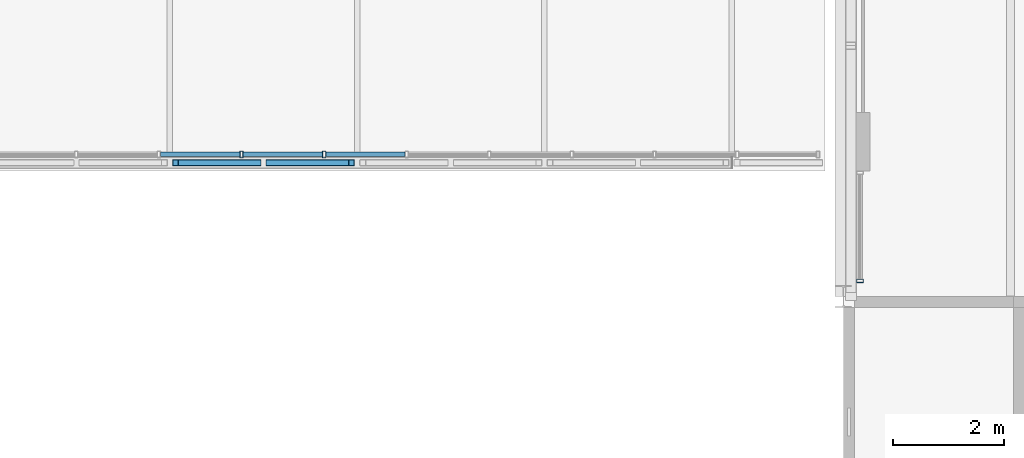
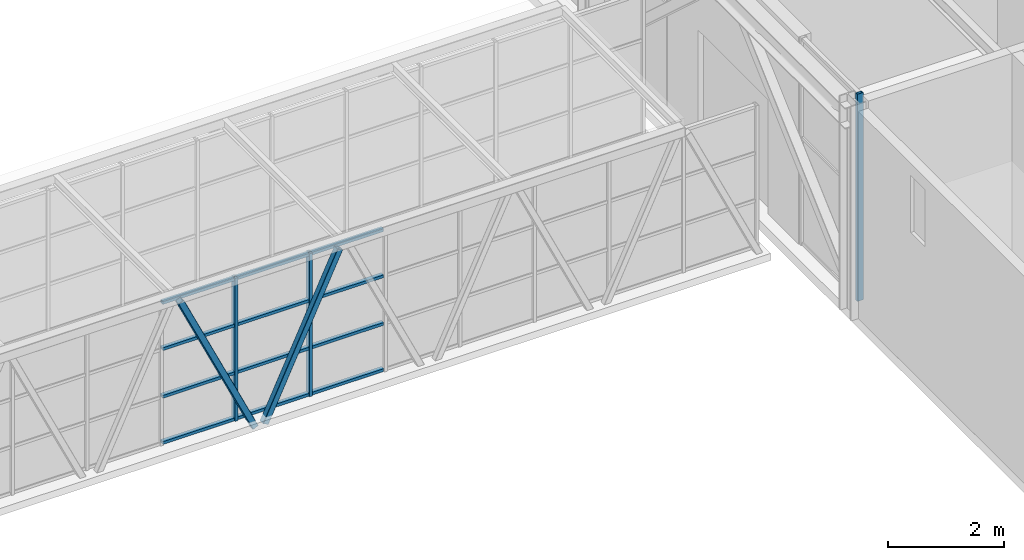
# One storey, part 37 of 149: 17 members, 2 elements without a shape of their own.
"""IFC4 building model written with IfcOpenShell, lengths in metres."""

import ifcopenshell
import ifcopenshell.guid

model = None  # the IFC model being written
_history = None  # IfcOwnerHistory: only IFC2X3 demands one
_inside = {}  # id of a spatial element -> (the spatial element, [elements in it])
_under = {}  # id of a project, library or spatial element -> (it, [spatial elements below it])
_declared = {}  # id of a project -> (the project, [libraries it declares])
_typed = {}  # id of a type object -> (the type object, [elements of that type])
_made_of = {}  # id of a material, layer set ... -> (it, [elements and type objects made of it])


def new_model(schema):
    """Start an empty IFC model of exactly this schema.

    Asked for "IFC4X3", IfcOpenShell would pick the latest addendum, in which some entities
    have other attributes; the version numbers below select the first issue.
    IFC2X3 requires an IfcOwnerHistory on every rooted entity: one is made here for all.
    """
    global model, _history
    if schema == "IFC4X3":
        model = ifcopenshell.file(schema_version=(4, 3, 0, 0))
    else:
        model = ifcopenshell.file(schema=schema)
    _inside.clear()
    _under.clear()
    _declared.clear()
    _typed.clear()
    _made_of.clear()
    _history = None
    if model.schema == "IFC2X3":
        org = make("IfcOrganization", Name="unknown")
        user = make(
            "IfcPersonAndOrganization",
            ThePerson=make("IfcPerson", FamilyName="unknown"),
            TheOrganization=org,
        )
        app = make(
            "IfcApplication",
            ApplicationDeveloper=org,
            Version="unknown",
            ApplicationFullName="unknown",
            ApplicationIdentifier="unknown",
        )
        _history = make(
            "IfcOwnerHistory",
            OwningUser=user,
            OwningApplication=app,
            ChangeAction="ADDED",
            CreationDate=0,
        )
    return model


def make(cls, **values):
    """One entity of the class cls with the attributes given. An attribute that is None is left unset."""
    return model.create_entity(
        cls, **{name: value for name, value in values.items() if value is not None}
    )


def rooted(cls, **values):
    """An entity with a GlobalId (a new one), such as an element, a storey or a relation."""
    return make(cls, GlobalId=ifcopenshell.guid.new(), OwnerHistory=_history, **values)


def si_unit(unit_type, name, prefix=None):
    """IfcSIUnit, for example si_unit("LENGTHUNIT", "METRE", prefix="MILLI")."""
    return make("IfcSIUnit", UnitType=unit_type, Prefix=prefix, Name=name)


def assignment(units):
    """IfcUnitAssignment: the units of a project."""
    return None if units is None else make("IfcUnitAssignment", Units=units)


def point(xyz):
    """IfcCartesianPoint."""
    return None if xyz is None else make("IfcCartesianPoint", Coordinates=xyz)


def direction(xyz):
    """IfcDirection."""
    return None if xyz is None else make("IfcDirection", DirectionRatios=xyz)


def frame(location, z_axis=None, x_axis=None):
    """IfcAxis2Placement3D, a coordinate frame: its origin and axes. An axis left out is left unset."""
    return make(
        "IfcAxis2Placement3D",
        Location=point(location),
        Axis=direction(z_axis),
        RefDirection=direction(x_axis),
    )


def frame_2d(location, x_axis=None):
    """IfcAxis2Placement2D, a coordinate frame in the plane: its origin and x axis."""
    return make(
        "IfcAxis2Placement2D", Location=point(location), RefDirection=direction(x_axis)
    )


def origin():
    """The frame at (0, 0, 0) with its axes left unset."""
    return frame((0.0, 0.0, 0.0))


def origin_2d():
    """The frame at (0, 0) in the plane with its x axis left unset."""
    return frame_2d((0.0, 0.0))


def place(relative_to, where):
    """IfcLocalPlacement: puts the frame where relative to a parent placement (None: the world)."""
    return make(
        "IfcLocalPlacement", PlacementRelTo=relative_to, RelativePlacement=where
    )


def context(
    kind, dimensions, precision=None, world=None, true_north=None, identifier=None
):
    """IfcGeometricRepresentationContext, for example the 3D "Model" context."""
    return make(
        "IfcGeometricRepresentationContext",
        ContextIdentifier=identifier,
        ContextType=kind,
        CoordinateSpaceDimension=dimensions,
        Precision=precision,
        WorldCoordinateSystem=world,
        TrueNorth=true_north,
    )


def subcontext(parent, identifier, kind, view, scale=None):
    """IfcGeometricRepresentationSubContext, for example "Body" below "Model"."""
    return make(
        "IfcGeometricRepresentationSubContext",
        ContextIdentifier=identifier,
        ContextType=kind,
        ParentContext=parent,
        TargetScale=scale,
        TargetView=view,
    )


def project(units=None, contexts=None):
    """IfcProject with its units and contexts."""
    return rooted(
        "IfcProject",
        Name="project",
        RepresentationContexts=contexts,
        UnitsInContext=assignment(units),
    )


def spatial(cls, under=None, at=None, **own):
    """A site, building, storey or space (cls), placed at a placement, below another one or the project."""
    s = rooted(cls, ObjectPlacement=at, **own)
    if under is not None:
        _under.setdefault(under.id(), (under, []))[1].append(s)
    return s


def profile(cls, at=None, kind="AREA", **sizes):
    """A parametric profile (cls). Its sizes go by their IFC names, for example OverallWidth=200.0."""
    return make(cls, ProfileType=kind, Position=at, **sizes)


def hollow_rectangle(**sizes):
    """IfcRectangleHollowProfileDef."""
    return profile("IfcRectangleHollowProfileDef", **sizes)


def extrude(swept, where, along, depth):
    """IfcExtrudedAreaSolid: the profile swept, set in the frame where, extruded along a direction by depth."""
    return make(
        "IfcExtrudedAreaSolid",
        SweptArea=swept,
        Position=where,
        ExtrudedDirection=direction(along),
        Depth=depth,
    )


def shape(context_of_items, identifier, shape_type, items):
    """IfcShapeRepresentation: the items that make up one representation, for example the "Body"."""
    return make(
        "IfcShapeRepresentation",
        ContextOfItems=context_of_items,
        RepresentationIdentifier=identifier,
        RepresentationType=shape_type,
        Items=items,
    )


def material(Name=None, Category=None):
    """IfcMaterial."""
    return make("IfcMaterial", Name=Name, Category=Category)


def layer(
    of_material, thickness, ventilated=None, Name=None, Category=None, Priority=None
):
    """IfcMaterialLayer: one layer of a wall or slab, of a material (None: an air gap)."""
    return make(
        "IfcMaterialLayer",
        Material=of_material,
        LayerThickness=thickness,
        IsVentilated=ventilated,
        Name=Name,
        Category=Category,
        Priority=Priority,
    )


def layer_set(layers, Name=None):
    """IfcMaterialLayerSet."""
    return make("IfcMaterialLayerSet", MaterialLayers=layers, LayerSetName=Name)


def material_profile(
    of_material, cross_section, Name=None, Category=None, Priority=None
):
    """IfcMaterialProfile: a cross section and its material."""
    return make(
        "IfcMaterialProfile",
        Name=Name,
        Material=of_material,
        Profile=cross_section,
        Priority=Priority,
        Category=Category,
    )


def profile_set(profiles, Name=None, composite=None):
    """IfcMaterialProfileSet."""
    return make(
        "IfcMaterialProfileSet",
        Name=Name,
        MaterialProfiles=profiles,
        CompositeProfile=composite,
    )


def made_of(thing, what):
    """Note that an element or type object is made of a material, layer set ...; save() writes the relation."""
    if what is not None:
        _made_of.setdefault(what.id(), (what, []))[1].append(thing)
    return thing


def type_object(cls, material=None, **own):
    """A type object (cls), such as IfcWallType, which elements share."""
    return made_of(rooted(cls, **own), material)


def element(
    cls,
    number,
    at=None,
    inside=None,
    cuts=None,
    type_object=None,
    material=None,
    context=None,
    identifier="Body",
    shape_type=None,
    held_by="IfcProductDefinitionShape",
    body=None,
    shapes=None,
    **own,
):
    """One element of the class cls, such as IfcWall. Its Tag is "e" and its number.

    at: its placement. inside: the storey or other place that contains it. cuts: it is an
    opening in that element (IfcRelVoidsElement). A single representation is given by context,
    identifier, shape_type and body (its items); several are given by shapes. held_by: the class
    of the entity that holds the representations. save() writes the other relations.
    """
    e = rooted(cls, Tag="e%d" % number, ObjectPlacement=at, **own)
    if body is not None:
        shapes = [shape(context, identifier, shape_type, body)]
    if shapes is not None:
        e.Representation = make(held_by, Representations=shapes)
    if inside is not None:
        _inside.setdefault(inside.id(), (inside, []))[1].append(e)
    if cuts is not None:
        rooted(
            "IfcRelVoidsElement", RelatingBuildingElement=cuts, RelatedOpeningElement=e
        )
    if type_object is not None:
        _typed.setdefault(type_object.id(), (type_object, []))[1].append(e)
    return made_of(e, material)


def aggregate(whole, parts):
    """IfcRelAggregates: a whole, such as a stair, and the parts it consists of."""
    return rooted("IfcRelAggregates", RelatingObject=whole, RelatedObjects=parts)


def save(model, path):
    """Write the relations noted so far, then the file.

    IfcRelAggregates (storeys below a building ...), IfcRelContainedInSpatialStructure (elements
    in a storey), IfcRelDefinesByType, IfcRelAssociatesMaterial and IfcRelDeclares: one each for
    every whole, place, type object, material and project.
    """
    for whole, parts in _under.values():
        aggregate(whole, parts)
    for where, things in _inside.values():
        rooted(
            "IfcRelContainedInSpatialStructure",
            RelatedElements=things,
            RelatingStructure=where,
        )
    for kind, things in _typed.values():
        rooted("IfcRelDefinesByType", RelatedObjects=things, RelatingType=kind)
    for what, things in _made_of.values():
        rooted("IfcRelAssociatesMaterial", RelatedObjects=things, RelatingMaterial=what)
    for by, libraries in _declared.values():
        rooted("IfcRelDeclares", RelatingContext=by, RelatedDefinitions=libraries)
    model.write(path)


model = new_model("IFC4")

# Units and contexts
model_context = context("Model", 3, precision=1e-05, world=origin(), true_north=direction((0.0, 1.0)))
body_context = subcontext(model_context, "Body", "Model", "MODEL_VIEW")
ifc_project = project(units=[si_unit("LENGTHUNIT", "METRE"), si_unit("AREAUNIT", "SQUARE_METRE"), si_unit("VOLUMEUNIT", "CUBIC_METRE"), si_unit("PLANEANGLEUNIT", "RADIAN"), si_unit("MASSUNIT", "GRAM", prefix="KILO")], contexts=[model_context])

# Site, building, storey
site_placement = place(None, origin())
site = spatial("IfcSite", under=ifc_project, at=site_placement, CompositionType="ELEMENT")
building_placement = place(site_placement, origin())
building = spatial("IfcBuilding", under=site, at=building_placement, Name="Kallimachos Central Library", CompositionType="ELEMENT")
storey_placement = place(building_placement, frame((0.0, 0.0, 9.89990234375)))
storey = spatial("IfcBuildingStorey", under=building, at=storey_placement, Name="L02", CompositionType="ELEMENT", Elevation=9.89990234375)

# Curtain wall, members
ifc_material_1 = material(Name="Aluminium and laminated glass", Category="aluminium")
curtain_wall_type_1 = type_object("IfcCurtainWallType", Name="Link glazed wall", PredefinedType="NOTDEFINED", material=ifc_material_1)
curtain_wall_1_placement = place(storey_placement, origin())
curtain_wall_1 = element("IfcCurtainWall", 1, at=curtain_wall_1_placement, inside=storey, type_object=curtain_wall_type_1, Name="V2 to V1 bridge glazed side", PredefinedType="NOTDEFINED")
ifc_material_2 = material(Name="Anodised aluminium", Category="aluminium")
ifc_material_profile_1 = material_profile(ifc_material_2, hollow_rectangle(XDim=0.06005859375, YDim=0.1201171875, WallThickness=0.00390625, at=origin_2d()), Name="ALU MULLION 60x120")
ifc_profile_set_1 = profile_set([ifc_material_profile_1], Name="Anodised aluminium")
member_type_1 = type_object("IfcMemberType", Name="ALU MULLION 60x120 mullion", PredefinedType="MULLION", material=ifc_profile_set_1)
member_1_placement = place(storey_placement, frame((54.701416015625, 98.550048828125, 0.0), z_axis=(0.0, 0.0, 1.0), x_axis=(1.0, 0.0, 0.0)))
member_1 = element("IfcMember", 2, at=member_1_placement, type_object=member_type_1, Name="CW72 mullion 12", PredefinedType="MULLION", context=body_context, shape_type="SweptSolid", body=[
    extrude(hollow_rectangle(XDim=0.06005859375, YDim=0.1201171875, WallThickness=0.00390625, at=origin_2d()), origin(), (0.0, 0.0, 1.0), 3.0),
])
member_2_placement = place(storey_placement, frame((56.183349609375, 98.550048828125, 0.0), z_axis=(0.0, 0.0, 1.0), x_axis=(1.0, 0.0, 0.0)))
member_2 = element("IfcMember", 3, at=member_2_placement, type_object=member_type_1, Name="CW72 mullion 13", PredefinedType="MULLION", context=body_context, shape_type="SweptSolid", body=[
    extrude(hollow_rectangle(XDim=0.06005859375, YDim=0.1201171875, WallThickness=0.00390625, at=origin_2d()), origin(), (0.0, 0.0, 1.0), 3.0),
])
ifc_material_3 = material(Name="Anodised aluminium", Category="aluminium")
ifc_material_profile_2 = material_profile(ifc_material_3, hollow_rectangle(XDim=0.06005859375, YDim=0.080078125, WallThickness=0.00390625, at=origin_2d()), Name="ALU TRANSOM 60x80")
ifc_profile_set_2 = profile_set([ifc_material_profile_2], Name="Anodised aluminium")
member_type_2 = type_object("IfcMemberType", Name="ALU TRANSOM 60x80 transom", PredefinedType="USERDEFINED", material=ifc_profile_set_2)
member_3_placement = place(storey_placement, frame((53.24951171875, 98.550048828125, 0.030029296875), z_axis=(1.0, 0.0, 0.0), x_axis=(0.0, 0.0, 1.0)))
member_3 = element("IfcMember", 4, at=member_3_placement, type_object=member_type_2, Name="CW72 transom 11.1", ObjectType="TRANSOM", PredefinedType="USERDEFINED", context=body_context, shape_type="SweptSolid", body=[
    extrude(hollow_rectangle(XDim=0.06005859375, YDim=0.080078125, WallThickness=0.00390625, at=origin_2d()), origin(), (0.0, 0.0, 1.0), 1.421875),
])
member_4_placement = place(storey_placement, frame((53.24951171875, 98.550048828125, 1.0), z_axis=(1.0, 0.0, 0.0), x_axis=(0.0, 0.0, 1.0)))
member_4 = element("IfcMember", 5, at=member_4_placement, type_object=member_type_2, Name="CW72 transom 11.2", ObjectType="TRANSOM", PredefinedType="USERDEFINED", context=body_context, shape_type="SweptSolid", body=[
    extrude(hollow_rectangle(XDim=0.06005859375, YDim=0.080078125, WallThickness=0.00390625, at=origin_2d()), origin(), (0.0, 0.0, 1.0), 1.421875),
])
member_5_placement = place(storey_placement, frame((53.24951171875, 98.550048828125, 2.0), z_axis=(1.0, 0.0, 0.0), x_axis=(0.0, 0.0, 1.0)))
member_5 = element("IfcMember", 6, at=member_5_placement, type_object=member_type_2, Name="CW72 transom 11.3", ObjectType="TRANSOM", PredefinedType="USERDEFINED", context=body_context, shape_type="SweptSolid", body=[
    extrude(hollow_rectangle(XDim=0.06005859375, YDim=0.080078125, WallThickness=0.00390625, at=origin_2d()), origin(), (0.0, 0.0, 1.0), 1.421875),
])
member_6_placement = place(storey_placement, frame((53.24951171875, 98.550048828125, 2.97021484375), z_axis=(1.0, 0.0, 0.0), x_axis=(0.0, 0.0, 1.0)))
member_6 = element("IfcMember", 7, at=member_6_placement, type_object=member_type_2, Name="CW72 transom 11.4", ObjectType="TRANSOM", PredefinedType="USERDEFINED", context=body_context, shape_type="SweptSolid", body=[
    extrude(hollow_rectangle(XDim=0.06005859375, YDim=0.080078125, WallThickness=0.00390625, at=origin_2d()), origin(), (0.0, 0.0, 1.0), 1.421875),
])
member_7_placement = place(storey_placement, frame((54.7314453125, 98.550048828125, 0.030029296875), z_axis=(1.0, 0.0, 0.0), x_axis=(0.0, 0.0, 1.0)))
member_7 = element("IfcMember", 8, at=member_7_placement, type_object=member_type_2, Name="CW72 transom 12.1", ObjectType="TRANSOM", PredefinedType="USERDEFINED", context=body_context, shape_type="SweptSolid", body=[
    extrude(hollow_rectangle(XDim=0.06005859375, YDim=0.080078125, WallThickness=0.00390625, at=origin_2d()), origin(), (0.0, 0.0, 1.0), 1.421875),
])
member_8_placement = place(storey_placement, frame((54.7314453125, 98.550048828125, 1.0), z_axis=(1.0, 0.0, 0.0), x_axis=(0.0, 0.0, 1.0)))
member_8 = element("IfcMember", 9, at=member_8_placement, type_object=member_type_2, Name="CW72 transom 12.2", ObjectType="TRANSOM", PredefinedType="USERDEFINED", context=body_context, shape_type="SweptSolid", body=[
    extrude(hollow_rectangle(XDim=0.06005859375, YDim=0.080078125, WallThickness=0.00390625, at=origin_2d()), origin(), (0.0, 0.0, 1.0), 1.421875),
])
member_9_placement = place(storey_placement, frame((54.7314453125, 98.550048828125, 2.0), z_axis=(1.0, 0.0, 0.0), x_axis=(0.0, 0.0, 1.0)))
member_9 = element("IfcMember", 10, at=member_9_placement, type_object=member_type_2, Name="CW72 transom 12.3", ObjectType="TRANSOM", PredefinedType="USERDEFINED", context=body_context, shape_type="SweptSolid", body=[
    extrude(hollow_rectangle(XDim=0.06005859375, YDim=0.080078125, WallThickness=0.00390625, at=origin_2d()), origin(), (0.0, 0.0, 1.0), 1.421875),
])
member_10_placement = place(storey_placement, frame((54.7314453125, 98.550048828125, 2.97021484375), z_axis=(1.0, 0.0, 0.0), x_axis=(0.0, 0.0, 1.0)))
member_10 = element("IfcMember", 11, at=member_10_placement, type_object=member_type_2, Name="CW72 transom 12.4", ObjectType="TRANSOM", PredefinedType="USERDEFINED", context=body_context, shape_type="SweptSolid", body=[
    extrude(hollow_rectangle(XDim=0.06005859375, YDim=0.080078125, WallThickness=0.00390625, at=origin_2d()), origin(), (0.0, 0.0, 1.0), 1.421875),
])
member_11_placement = place(storey_placement, frame((56.21337890625, 98.550048828125, 0.030029296875), z_axis=(1.0, 0.0, 0.0), x_axis=(0.0, 0.0, 1.0)))
member_11 = element("IfcMember", 12, at=member_11_placement, type_object=member_type_2, Name="CW72 transom 13.1", ObjectType="TRANSOM", PredefinedType="USERDEFINED", context=body_context, shape_type="SweptSolid", body=[
    extrude(hollow_rectangle(XDim=0.06005859375, YDim=0.080078125, WallThickness=0.00390625, at=origin_2d()), origin(), (0.0, 0.0, 1.0), 1.421875),
])
member_12_placement = place(storey_placement, frame((56.21337890625, 98.550048828125, 1.0), z_axis=(1.0, 0.0, 0.0), x_axis=(0.0, 0.0, 1.0)))
member_12 = element("IfcMember", 13, at=member_12_placement, type_object=member_type_2, Name="CW72 transom 13.2", ObjectType="TRANSOM", PredefinedType="USERDEFINED", context=body_context, shape_type="SweptSolid", body=[
    extrude(hollow_rectangle(XDim=0.06005859375, YDim=0.080078125, WallThickness=0.00390625, at=origin_2d()), origin(), (0.0, 0.0, 1.0), 1.421875),
])
member_13_placement = place(storey_placement, frame((56.21337890625, 98.550048828125, 2.0), z_axis=(1.0, 0.0, 0.0), x_axis=(0.0, 0.0, 1.0)))
member_13 = element("IfcMember", 14, at=member_13_placement, type_object=member_type_2, Name="CW72 transom 13.3", ObjectType="TRANSOM", PredefinedType="USERDEFINED", context=body_context, shape_type="SweptSolid", body=[
    extrude(hollow_rectangle(XDim=0.06005859375, YDim=0.080078125, WallThickness=0.00390625, at=origin_2d()), origin(), (0.0, 0.0, 1.0), 1.421875),
])
member_14_placement = place(storey_placement, frame((56.21337890625, 98.550048828125, 2.97021484375), z_axis=(1.0, 0.0, 0.0), x_axis=(0.0, 0.0, 1.0)))
member_14 = element("IfcMember", 15, at=member_14_placement, type_object=member_type_2, Name="CW72 transom 13.4", ObjectType="TRANSOM", PredefinedType="USERDEFINED", context=body_context, shape_type="SweptSolid", body=[
    extrude(hollow_rectangle(XDim=0.06005859375, YDim=0.080078125, WallThickness=0.00390625, at=origin_2d()), origin(), (0.0, 0.0, 1.0), 1.421875),
])
aggregate(curtain_wall_1, [member_1, member_2, member_3, member_4, member_5, member_6, member_7, member_8, member_9, member_10, member_11, member_12, member_13, member_14])

# Curtain wall, member
ifc_material_4 = material(Name="Anodised aluminium and laminated glass", Category="aluminium")
ifc_layer = layer(ifc_material_4, 0.159912109375)
ifc_layer_set = layer_set([ifc_layer], Name="Glass box curtain wall")
curtain_wall_type_2 = type_object("IfcCurtainWallType", Name="Glass box curtain wall", PredefinedType="NOTDEFINED", material=ifc_layer_set)
curtain_wall_2_placement = place(storey_placement, origin())
curtain_wall_2 = element("IfcCurtainWall", 16, at=curtain_wall_2_placement, inside=storey, type_object=curtain_wall_type_2, Name="Glass box curtain wall W L02", PredefinedType="NOTDEFINED")
ifc_material_5 = material(Name="Anodised aluminium", Category="aluminium")
ifc_material_profile_3 = material_profile(ifc_material_5, hollow_rectangle(XDim=0.06005859375, YDim=0.1201171875, WallThickness=0.00390625, at=origin_2d()), Name="ALU MULLION 60x120")
ifc_profile_set_3 = profile_set([ifc_material_profile_3], Name="Anodised aluminium")
member_type_3 = type_object("IfcMemberType", Name="Glass box mullion 60x120", PredefinedType="MULLION", material=ifc_profile_set_3)
member_15_placement = place(storey_placement, frame((65.800048828125, 96.280029296875, 0.0), z_axis=(0.0, 0.0, 1.0), x_axis=(0.0, 1.0, 0.0)))
member_15 = element("IfcMember", 17, at=member_15_placement, type_object=member_type_3, Name="CW14 mullion 1", PredefinedType="MULLION", context=body_context, shape_type="SweptSolid", body=[
    extrude(hollow_rectangle(XDim=0.06005859375, YDim=0.1201171875, WallThickness=0.00390625, at=origin_2d()), origin(), (0.0, 0.0, 1.0), 4.35009765625),
])
aggregate(curtain_wall_2, [member_15])

# Members
ifc_material_6 = material(Name="Steel S355J2H", Category="steel")
ifc_material_profile_4 = material_profile(ifc_material_6, hollow_rectangle(XDim=0.1201171875, YDim=0.1201171875, WallThickness=0.008056640625, InnerFilletRadius=0.008056640625, OuterFilletRadius=0.011962890625, at=origin_2d()), Name="SHS 120x120x8")
ifc_profile_set_4 = profile_set([ifc_material_profile_4], Name="Steel S355J2H")
member_type_4 = type_object("IfcMemberType", Name="SHS 120x120x8 web", PredefinedType="BRACE", material=ifc_profile_set_4)
for number, where, z_axis, x_axis, name in (
    (18, (53.51708984375, 98.39990234375, 3.0), (0.425192201844, 0.0, -0.905103083351), (0.0, 1.0, 0.0), "links-MEM-L02-011"),
    (19, (55.19677734375, 98.39990234375, -0.14990234375), (0.425192201844, 0.0, 0.905103083351), (0.0, 1.0, 0.0), "links-MEM-L02-012"),
):
    element("IfcMember", number, at=place(storey_placement, frame(where, z_axis=z_axis, x_axis=x_axis)), inside=storey, type_object=member_type_4, Name=name, PredefinedType="BRACE", context=body_context, shape_type="SweptSolid", body=[
        extrude(hollow_rectangle(XDim=0.1201171875, YDim=0.1201171875, WallThickness=0.008056640625, InnerFilletRadius=0.008056640625, OuterFilletRadius=0.011962890625, at=origin_2d()), origin(), (0.0, 0.0, 1.0), 3.480224609375),
    ])

save(model, "model.ifc")
